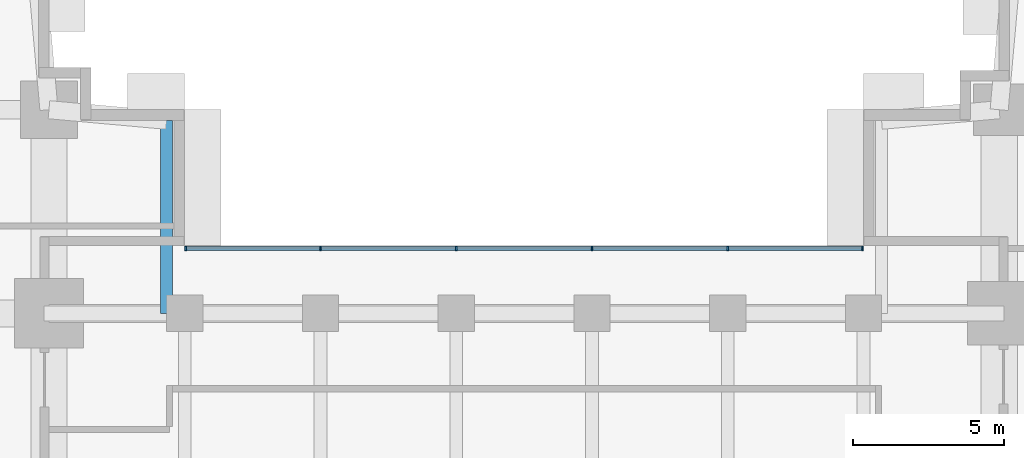
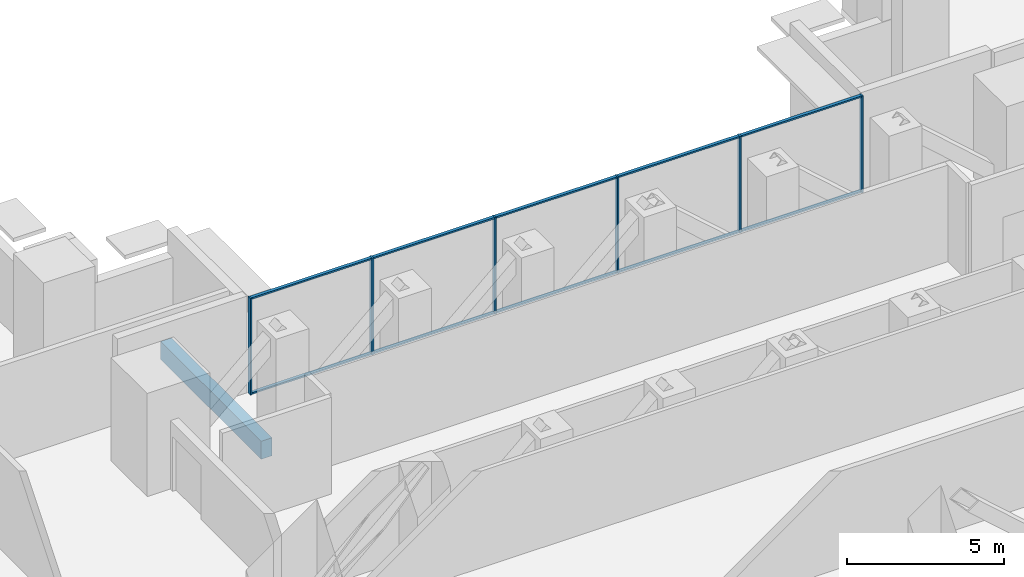
# One storey, part 4 of 16: 16 members, 1 beam, 1 element without a shape of its own.
"""IFC4 building model written with IfcOpenShell, lengths in metres."""

import ifcopenshell
import ifcopenshell.guid

model = None  # the IFC model being written
_history = None  # IfcOwnerHistory: only IFC2X3 demands one
_inside = {}  # id of a spatial element -> (the spatial element, [elements in it])
_under = {}  # id of a project, library or spatial element -> (it, [spatial elements below it])
_declared = {}  # id of a project -> (the project, [libraries it declares])
_typed = {}  # id of a type object -> (the type object, [elements of that type])
_made_of = {}  # id of a material, layer set ... -> (it, [elements and type objects made of it])


def new_model(schema):
    """Start an empty IFC model of exactly this schema.

    Asked for "IFC4X3", IfcOpenShell would pick the latest addendum, in which some entities
    have other attributes; the version numbers below select the first issue.
    IFC2X3 requires an IfcOwnerHistory on every rooted entity: one is made here for all.
    """
    global model, _history
    if schema == "IFC4X3":
        model = ifcopenshell.file(schema_version=(4, 3, 0, 0))
    else:
        model = ifcopenshell.file(schema=schema)
    _inside.clear()
    _under.clear()
    _declared.clear()
    _typed.clear()
    _made_of.clear()
    _history = None
    if model.schema == "IFC2X3":
        org = make("IfcOrganization", Name="unknown")
        user = make(
            "IfcPersonAndOrganization",
            ThePerson=make("IfcPerson", FamilyName="unknown"),
            TheOrganization=org,
        )
        app = make(
            "IfcApplication",
            ApplicationDeveloper=org,
            Version="unknown",
            ApplicationFullName="unknown",
            ApplicationIdentifier="unknown",
        )
        _history = make(
            "IfcOwnerHistory",
            OwningUser=user,
            OwningApplication=app,
            ChangeAction="ADDED",
            CreationDate=0,
        )
    return model


def make(cls, **values):
    """One entity of the class cls with the attributes given. An attribute that is None is left unset."""
    return model.create_entity(
        cls, **{name: value for name, value in values.items() if value is not None}
    )


def rooted(cls, **values):
    """An entity with a GlobalId (a new one), such as an element, a storey or a relation."""
    return make(cls, GlobalId=ifcopenshell.guid.new(), OwnerHistory=_history, **values)


def si_unit(unit_type, name, prefix=None):
    """IfcSIUnit, for example si_unit("LENGTHUNIT", "METRE", prefix="MILLI")."""
    return make("IfcSIUnit", UnitType=unit_type, Prefix=prefix, Name=name)


def assignment(units):
    """IfcUnitAssignment: the units of a project."""
    return None if units is None else make("IfcUnitAssignment", Units=units)


def point(xyz):
    """IfcCartesianPoint."""
    return None if xyz is None else make("IfcCartesianPoint", Coordinates=xyz)


def direction(xyz):
    """IfcDirection."""
    return None if xyz is None else make("IfcDirection", DirectionRatios=xyz)


def frame(location, z_axis=None, x_axis=None):
    """IfcAxis2Placement3D, a coordinate frame: its origin and axes. An axis left out is left unset."""
    return make(
        "IfcAxis2Placement3D",
        Location=point(location),
        Axis=direction(z_axis),
        RefDirection=direction(x_axis),
    )


def frame_2d(location, x_axis=None):
    """IfcAxis2Placement2D, a coordinate frame in the plane: its origin and x axis."""
    return make(
        "IfcAxis2Placement2D", Location=point(location), RefDirection=direction(x_axis)
    )


def origin():
    """The frame at (0, 0, 0) with its axes left unset."""
    return frame((0.0, 0.0, 0.0))


def origin_2d():
    """The frame at (0, 0) in the plane with its x axis left unset."""
    return frame_2d((0.0, 0.0))


def place(relative_to, where):
    """IfcLocalPlacement: puts the frame where relative to a parent placement (None: the world)."""
    return make(
        "IfcLocalPlacement", PlacementRelTo=relative_to, RelativePlacement=where
    )


def context(
    kind, dimensions, precision=None, world=None, true_north=None, identifier=None
):
    """IfcGeometricRepresentationContext, for example the 3D "Model" context."""
    return make(
        "IfcGeometricRepresentationContext",
        ContextIdentifier=identifier,
        ContextType=kind,
        CoordinateSpaceDimension=dimensions,
        Precision=precision,
        WorldCoordinateSystem=world,
        TrueNorth=true_north,
    )


def subcontext(parent, identifier, kind, view, scale=None):
    """IfcGeometricRepresentationSubContext, for example "Body" below "Model"."""
    return make(
        "IfcGeometricRepresentationSubContext",
        ContextIdentifier=identifier,
        ContextType=kind,
        ParentContext=parent,
        TargetScale=scale,
        TargetView=view,
    )


def project(units=None, contexts=None):
    """IfcProject with its units and contexts."""
    return rooted(
        "IfcProject",
        Name="project",
        RepresentationContexts=contexts,
        UnitsInContext=assignment(units),
    )


def spatial(cls, under=None, at=None, **own):
    """A site, building, storey or space (cls), placed at a placement, below another one or the project."""
    s = rooted(cls, ObjectPlacement=at, **own)
    if under is not None:
        _under.setdefault(under.id(), (under, []))[1].append(s)
    return s


def profile(cls, at=None, kind="AREA", **sizes):
    """A parametric profile (cls). Its sizes go by their IFC names, for example OverallWidth=200.0."""
    return make(cls, ProfileType=kind, Position=at, **sizes)


def rectangle(**sizes):
    """IfcRectangleProfileDef."""
    return profile("IfcRectangleProfileDef", **sizes)


def extrude(swept, where, along, depth):
    """IfcExtrudedAreaSolid: the profile swept, set in the frame where, extruded along a direction by depth."""
    return make(
        "IfcExtrudedAreaSolid",
        SweptArea=swept,
        Position=where,
        ExtrudedDirection=direction(along),
        Depth=depth,
    )


def shape(context_of_items, identifier, shape_type, items):
    """IfcShapeRepresentation: the items that make up one representation, for example the "Body"."""
    return make(
        "IfcShapeRepresentation",
        ContextOfItems=context_of_items,
        RepresentationIdentifier=identifier,
        RepresentationType=shape_type,
        Items=items,
    )


def material(Name=None, Category=None):
    """IfcMaterial."""
    return make("IfcMaterial", Name=Name, Category=Category)


def layer(
    of_material, thickness, ventilated=None, Name=None, Category=None, Priority=None
):
    """IfcMaterialLayer: one layer of a wall or slab, of a material (None: an air gap)."""
    return make(
        "IfcMaterialLayer",
        Material=of_material,
        LayerThickness=thickness,
        IsVentilated=ventilated,
        Name=Name,
        Category=Category,
        Priority=Priority,
    )


def layer_set(layers, Name=None):
    """IfcMaterialLayerSet."""
    return make("IfcMaterialLayerSet", MaterialLayers=layers, LayerSetName=Name)


def material_profile(
    of_material, cross_section, Name=None, Category=None, Priority=None
):
    """IfcMaterialProfile: a cross section and its material."""
    return make(
        "IfcMaterialProfile",
        Name=Name,
        Material=of_material,
        Profile=cross_section,
        Priority=Priority,
        Category=Category,
    )


def profile_set(profiles, Name=None, composite=None):
    """IfcMaterialProfileSet."""
    return make(
        "IfcMaterialProfileSet",
        Name=Name,
        MaterialProfiles=profiles,
        CompositeProfile=composite,
    )


def made_of(thing, what):
    """Note that an element or type object is made of a material, layer set ...; save() writes the relation."""
    if what is not None:
        _made_of.setdefault(what.id(), (what, []))[1].append(thing)
    return thing


def type_object(cls, material=None, **own):
    """A type object (cls), such as IfcWallType, which elements share."""
    return made_of(rooted(cls, **own), material)


def element(
    cls,
    number,
    at=None,
    inside=None,
    cuts=None,
    type_object=None,
    material=None,
    context=None,
    identifier="Body",
    shape_type=None,
    held_by="IfcProductDefinitionShape",
    body=None,
    shapes=None,
    **own,
):
    """One element of the class cls, such as IfcWall. Its Tag is "e" and its number.

    at: its placement. inside: the storey or other place that contains it. cuts: it is an
    opening in that element (IfcRelVoidsElement). A single representation is given by context,
    identifier, shape_type and body (its items); several are given by shapes. held_by: the class
    of the entity that holds the representations. save() writes the other relations.
    """
    e = rooted(cls, Tag="e%d" % number, ObjectPlacement=at, **own)
    if body is not None:
        shapes = [shape(context, identifier, shape_type, body)]
    if shapes is not None:
        e.Representation = make(held_by, Representations=shapes)
    if inside is not None:
        _inside.setdefault(inside.id(), (inside, []))[1].append(e)
    if cuts is not None:
        rooted(
            "IfcRelVoidsElement", RelatingBuildingElement=cuts, RelatedOpeningElement=e
        )
    if type_object is not None:
        _typed.setdefault(type_object.id(), (type_object, []))[1].append(e)
    return made_of(e, material)


def aggregate(whole, parts):
    """IfcRelAggregates: a whole, such as a stair, and the parts it consists of."""
    return rooted("IfcRelAggregates", RelatingObject=whole, RelatedObjects=parts)


def save(model, path):
    """Write the relations noted so far, then the file.

    IfcRelAggregates (storeys below a building ...), IfcRelContainedInSpatialStructure (elements
    in a storey), IfcRelDefinesByType, IfcRelAssociatesMaterial and IfcRelDeclares: one each for
    every whole, place, type object, material and project.
    """
    for whole, parts in _under.values():
        aggregate(whole, parts)
    for where, things in _inside.values():
        rooted(
            "IfcRelContainedInSpatialStructure",
            RelatedElements=things,
            RelatingStructure=where,
        )
    for kind, things in _typed.values():
        rooted("IfcRelDefinesByType", RelatedObjects=things, RelatingType=kind)
    for what, things in _made_of.values():
        rooted("IfcRelAssociatesMaterial", RelatedObjects=things, RelatingMaterial=what)
    for by, libraries in _declared.values():
        rooted("IfcRelDeclares", RelatingContext=by, RelatedDefinitions=libraries)
    model.write(path)


model = new_model("IFC4")

# Units and contexts
model_context = context("Model", 3, precision=1e-05, world=origin(), true_north=direction((0.0, 1.0)))
body_context = subcontext(model_context, "Body", "Model", "MODEL_VIEW")
ifc_project = project(units=[si_unit("LENGTHUNIT", "METRE"), si_unit("AREAUNIT", "SQUARE_METRE"), si_unit("VOLUMEUNIT", "CUBIC_METRE"), si_unit("PLANEANGLEUNIT", "RADIAN"), si_unit("MASSUNIT", "GRAM", prefix="KILO")], contexts=[model_context])

# Site, building, storey
site_placement = place(None, origin())
site = spatial("IfcSite", under=ifc_project, at=site_placement, CompositionType="ELEMENT")
building_placement = place(site_placement, origin())
building = spatial("IfcBuilding", under=site, at=building_placement, Name="Namib Vertical Campus", CompositionType="ELEMENT")
storey_placement = place(building_placement, frame((0.0, 0.0, 125.0)))
storey = spatial("IfcBuildingStorey", under=building, at=storey_placement, Name="L29", CompositionType="ELEMENT", Elevation=125.0)

# Curtain wall, members
ifc_material_1 = material(Name="Black aluminium curtain wall", Category="aluminium")
ifc_layer = layer(ifc_material_1, 0.199951171875)
ifc_layer_set = layer_set([ifc_layer], Name="Bridge curtain wall CW-BR")
curtain_wall_type = type_object("IfcCurtainWallType", Name="Bridge curtain wall CW-BR", PredefinedType="USERDEFINED", material=ifc_layer_set)
curtain_wall_placement = place(storey_placement, origin())
curtain_wall = element("IfcCurtainWall", 1, at=curtain_wall_placement, inside=storey, type_object=curtain_wall_type, Name="Curtain wall CW-BR L29 N", ObjectType="CURTAIN WALL", PredefinedType="USERDEFINED")
ifc_material_2 = material(Name="Black anodised aluminium", Category="aluminium")
ifc_material_profile_1 = material_profile(ifc_material_2, rectangle(XDim=0.06005859375, YDim=0.159912109375, at=origin_2d()))
ifc_profile_set_1 = profile_set([ifc_material_profile_1], Name="Black anodised aluminium")
member_type_1 = type_object("IfcMemberType", Name="Curtain wall mullion 60x160", PredefinedType="MULLION", material=ifc_profile_set_1)
member_1_placement = place(storey_placement, frame((62.969970703125, 31.39990234375, 0.0), z_axis=(0.0, 0.0, 1.0), x_axis=(-1.0, 0.0, 0.0)))
member_1 = element("IfcMember", 2, at=member_1_placement, type_object=member_type_1, Name="CW-BR mullion 1", PredefinedType="MULLION", context=body_context, shape_type="SweptSolid", body=[
    extrude(rectangle(XDim=0.06005859375, YDim=0.159912109375, at=origin_2d()), origin(), (0.0, 0.0, 1.0), 3.75),
])
member_2_placement = place(storey_placement, frame((58.5, 31.39990234375, 0.0), z_axis=(0.0, 0.0, 1.0), x_axis=(-1.0, 0.0, 0.0)))
member_2 = element("IfcMember", 3, at=member_2_placement, type_object=member_type_1, Name="CW-BR mullion 2", PredefinedType="MULLION", context=body_context, shape_type="SweptSolid", body=[
    extrude(rectangle(XDim=0.06005859375, YDim=0.159912109375, at=origin_2d()), origin(), (0.0, 0.0, 1.0), 3.75),
])
member_3_placement = place(storey_placement, frame((54.0, 31.39990234375, 0.0), z_axis=(0.0, 0.0, 1.0), x_axis=(-1.0, 0.0, 0.0)))
member_3 = element("IfcMember", 4, at=member_3_placement, type_object=member_type_1, Name="CW-BR mullion 3", PredefinedType="MULLION", context=body_context, shape_type="SweptSolid", body=[
    extrude(rectangle(XDim=0.06005859375, YDim=0.159912109375, at=origin_2d()), origin(), (0.0, 0.0, 1.0), 3.75),
])
member_4_placement = place(storey_placement, frame((49.5, 31.39990234375, 0.0), z_axis=(0.0, 0.0, 1.0), x_axis=(-1.0, 0.0, 0.0)))
member_4 = element("IfcMember", 5, at=member_4_placement, type_object=member_type_1, Name="CW-BR mullion 4", PredefinedType="MULLION", context=body_context, shape_type="SweptSolid", body=[
    extrude(rectangle(XDim=0.06005859375, YDim=0.159912109375, at=origin_2d()), origin(), (0.0, 0.0, 1.0), 3.75),
])
member_5_placement = place(storey_placement, frame((45.0, 31.39990234375, 0.0), z_axis=(0.0, 0.0, 1.0), x_axis=(-1.0, 0.0, 0.0)))
member_5 = element("IfcMember", 6, at=member_5_placement, type_object=member_type_1, Name="CW-BR mullion 5", PredefinedType="MULLION", context=body_context, shape_type="SweptSolid", body=[
    extrude(rectangle(XDim=0.06005859375, YDim=0.159912109375, at=origin_2d()), origin(), (0.0, 0.0, 1.0), 3.75),
])
member_6_placement = place(storey_placement, frame((40.530029296875, 31.39990234375, 0.0), z_axis=(0.0, 0.0, 1.0), x_axis=(-1.0, 0.0, 0.0)))
member_6 = element("IfcMember", 7, at=member_6_placement, type_object=member_type_1, Name="CW-BR mullion 6", PredefinedType="MULLION", context=body_context, shape_type="SweptSolid", body=[
    extrude(rectangle(XDim=0.06005859375, YDim=0.159912109375, at=origin_2d()), origin(), (0.0, 0.0, 1.0), 3.75),
])
ifc_material_3 = material(Name="Black anodised aluminium", Category="aluminium")
ifc_material_profile_2 = material_profile(ifc_material_3, rectangle(XDim=0.06005859375, YDim=0.1201171875, at=origin_2d()))
ifc_profile_set_2 = profile_set([ifc_material_profile_2], Name="Black anodised aluminium")
member_type_2 = type_object("IfcMemberType", Name="Curtain wall transom 60x120", PredefinedType="USERDEFINED", material=ifc_profile_set_2)
member_7_placement = place(storey_placement, frame((62.93994140625, 31.39990234375, 0.030029296875), z_axis=(-1.0, 0.0, 0.0), x_axis=(0.0, 0.0, 1.0)))
member_7 = element("IfcMember", 8, at=member_7_placement, type_object=member_type_2, Name="CW-BR transom 1.1", ObjectType="TRANSOM", PredefinedType="USERDEFINED", context=body_context, shape_type="SweptSolid", body=[
    extrude(rectangle(XDim=0.06005859375, YDim=0.1201171875, at=origin_2d()), origin(), (0.0, 0.0, 1.0), 4.409912109375),
])
member_8_placement = place(storey_placement, frame((62.93994140625, 31.39990234375, 3.719970703125), z_axis=(-1.0, 0.0, 0.0), x_axis=(0.0, 0.0, 1.0)))
member_8 = element("IfcMember", 9, at=member_8_placement, type_object=member_type_2, Name="CW-BR transom 1.2", ObjectType="TRANSOM", PredefinedType="USERDEFINED", context=body_context, shape_type="SweptSolid", body=[
    extrude(rectangle(XDim=0.06005859375, YDim=0.1201171875, at=origin_2d()), origin(), (0.0, 0.0, 1.0), 4.409912109375),
])
member_9_placement = place(storey_placement, frame((58.469970703125, 31.39990234375, 0.030029296875), z_axis=(-1.0, 0.0, 0.0), x_axis=(0.0, 0.0, 1.0)))
member_9 = element("IfcMember", 10, at=member_9_placement, type_object=member_type_2, Name="CW-BR transom 2.1", ObjectType="TRANSOM", PredefinedType="USERDEFINED", context=body_context, shape_type="SweptSolid", body=[
    extrude(rectangle(XDim=0.06005859375, YDim=0.1201171875, at=origin_2d()), origin(), (0.0, 0.0, 1.0), 4.43994140625),
])
member_10_placement = place(storey_placement, frame((58.469970703125, 31.39990234375, 3.719970703125), z_axis=(-1.0, 0.0, 0.0), x_axis=(0.0, 0.0, 1.0)))
member_10 = element("IfcMember", 11, at=member_10_placement, type_object=member_type_2, Name="CW-BR transom 2.2", ObjectType="TRANSOM", PredefinedType="USERDEFINED", context=body_context, shape_type="SweptSolid", body=[
    extrude(rectangle(XDim=0.06005859375, YDim=0.1201171875, at=origin_2d()), origin(), (0.0, 0.0, 1.0), 4.43994140625),
])
member_11_placement = place(storey_placement, frame((53.969970703125, 31.39990234375, 0.030029296875), z_axis=(-1.0, 0.0, 0.0), x_axis=(0.0, 0.0, 1.0)))
member_11 = element("IfcMember", 12, at=member_11_placement, type_object=member_type_2, Name="CW-BR transom 3.1", ObjectType="TRANSOM", PredefinedType="USERDEFINED", context=body_context, shape_type="SweptSolid", body=[
    extrude(rectangle(XDim=0.06005859375, YDim=0.1201171875, at=origin_2d()), origin(), (0.0, 0.0, 1.0), 4.43994140625),
])
member_12_placement = place(storey_placement, frame((53.969970703125, 31.39990234375, 3.719970703125), z_axis=(-1.0, 0.0, 0.0), x_axis=(0.0, 0.0, 1.0)))
member_12 = element("IfcMember", 13, at=member_12_placement, type_object=member_type_2, Name="CW-BR transom 3.2", ObjectType="TRANSOM", PredefinedType="USERDEFINED", context=body_context, shape_type="SweptSolid", body=[
    extrude(rectangle(XDim=0.06005859375, YDim=0.1201171875, at=origin_2d()), origin(), (0.0, 0.0, 1.0), 4.43994140625),
])
member_13_placement = place(storey_placement, frame((49.469970703125, 31.39990234375, 0.030029296875), z_axis=(-1.0, 0.0, 0.0), x_axis=(0.0, 0.0, 1.0)))
member_13 = element("IfcMember", 14, at=member_13_placement, type_object=member_type_2, Name="CW-BR transom 4.1", ObjectType="TRANSOM", PredefinedType="USERDEFINED", context=body_context, shape_type="SweptSolid", body=[
    extrude(rectangle(XDim=0.06005859375, YDim=0.1201171875, at=origin_2d()), origin(), (0.0, 0.0, 1.0), 4.43994140625),
])
member_14_placement = place(storey_placement, frame((49.469970703125, 31.39990234375, 3.719970703125), z_axis=(-1.0, 0.0, 0.0), x_axis=(0.0, 0.0, 1.0)))
member_14 = element("IfcMember", 15, at=member_14_placement, type_object=member_type_2, Name="CW-BR transom 4.2", ObjectType="TRANSOM", PredefinedType="USERDEFINED", context=body_context, shape_type="SweptSolid", body=[
    extrude(rectangle(XDim=0.06005859375, YDim=0.1201171875, at=origin_2d()), origin(), (0.0, 0.0, 1.0), 4.43994140625),
])
member_15_placement = place(storey_placement, frame((44.969970703125, 31.39990234375, 0.030029296875), z_axis=(-1.0, 0.0, 0.0), x_axis=(0.0, 0.0, 1.0)))
member_15 = element("IfcMember", 16, at=member_15_placement, type_object=member_type_2, Name="CW-BR transom 5.1", ObjectType="TRANSOM", PredefinedType="USERDEFINED", context=body_context, shape_type="SweptSolid", body=[
    extrude(rectangle(XDim=0.06005859375, YDim=0.1201171875, at=origin_2d()), origin(), (0.0, 0.0, 1.0), 4.409912109375),
])
member_16_placement = place(storey_placement, frame((44.969970703125, 31.39990234375, 3.719970703125), z_axis=(-1.0, 0.0, 0.0), x_axis=(0.0, 0.0, 1.0)))
member_16 = element("IfcMember", 17, at=member_16_placement, type_object=member_type_2, Name="CW-BR transom 5.2", ObjectType="TRANSOM", PredefinedType="USERDEFINED", context=body_context, shape_type="SweptSolid", body=[
    extrude(rectangle(XDim=0.06005859375, YDim=0.1201171875, at=origin_2d()), origin(), (0.0, 0.0, 1.0), 4.409912109375),
])
aggregate(curtain_wall, [member_1, member_2, member_3, member_4, member_5, member_6, member_7, member_8, member_9, member_10, member_11, member_12, member_13, member_14, member_15, member_16])

# Beam
ifc_material_4 = material(Name="Concrete C40/50", Category="concrete")
ifc_material_profile_3 = material_profile(ifc_material_4, rectangle(XDim=0.39990234375, YDim=0.699951171875, at=origin_2d()))
ifc_profile_set_3 = profile_set([ifc_material_profile_3], Name="Concrete C40/50")
beam_type = type_object("IfcBeamType", Name="Edge beam RC 400x700", PredefinedType="SPANDREL", material=ifc_profile_set_3)
beam_placement = place(storey_placement, frame((39.89990234375, 29.25, -0.60009765625), z_axis=(0.0, 1.0, 0.0), x_axis=(-1.0, 0.0, 0.0)))
element("IfcBeam", 18, at=beam_placement, inside=storey, type_object=beam_type, Name="Beam B4 L29", PredefinedType="SPANDREL", context=body_context, shape_type="SweptSolid", body=[
    extrude(rectangle(XDim=0.39990234375, YDim=0.699951171875, at=origin_2d()), origin(), (0.0, 0.0, 1.0), 6.39990234375),
])

save(model, "model.ifc")
